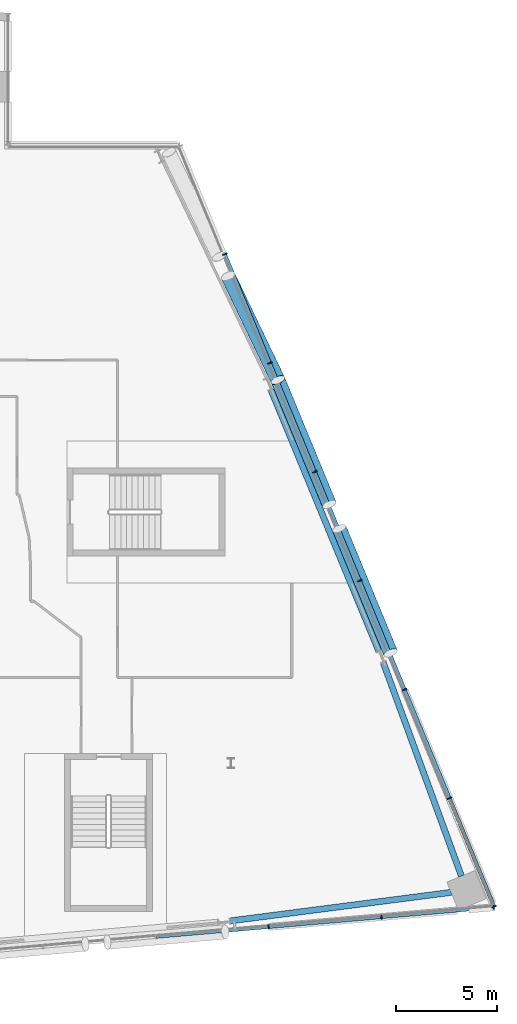
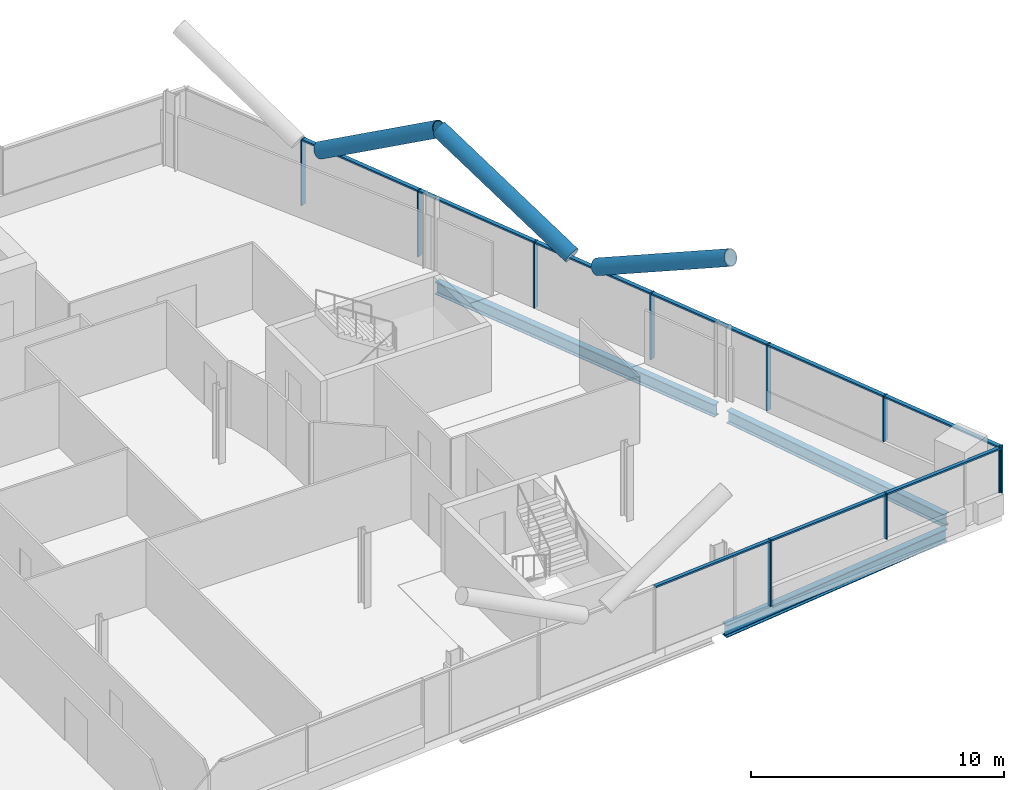
# One storey, part 11 of 26: 22 members, 3 beams, 2 elements without a shape of their own.
"""IFC4 building model written with IfcOpenShell, lengths in metres."""

from ifc_helpers import new_model, si_unit, direction, frame, origin, origin_2d, place, context, subcontext, project, spatial, rectangle, hollow_circle, i_section, extrude, material, material_profile, profile_set, type_object, element, aggregate, save


model = new_model("IFC4")

# Units and contexts
model_context = context("Model", 3, precision=1e-05, world=origin(), true_north=direction((0.0, 1.0)))
body_context = subcontext(model_context, "Body", "Model", "MODEL_VIEW")
ifc_project = project(units=[si_unit("LENGTHUNIT", "METRE"), si_unit("AREAUNIT", "SQUARE_METRE"), si_unit("VOLUMEUNIT", "CUBIC_METRE"), si_unit("PLANEANGLEUNIT", "RADIAN"), si_unit("MASSUNIT", "GRAM", prefix="KILO")], contexts=[model_context])

# Site, building, storey
site_placement = place(None, origin())
site = spatial("IfcSite", under=ifc_project, at=site_placement, CompositionType="ELEMENT")
building_placement = place(site_placement, origin())
building = spatial("IfcBuilding", under=site, at=building_placement, Name="Wharfspan Tower", CompositionType="ELEMENT")
storey_placement = place(building_placement, frame((0.0, 0.0, 166.300049)))
storey = spatial("IfcBuildingStorey", under=building, at=storey_placement, Name="L40", CompositionType="ELEMENT", Elevation=166.300049)

# Beams
ifc_material_1 = material(Name="Steel S355J2", Category="steel")
ifc_material_profile_1 = material_profile(ifc_material_1, i_section(OverallWidth=0.300049, OverallDepth=0.600098, WebThickness=0.015381, FlangeThickness=0.030029, FilletRadius=0.0271, at=origin_2d()))
ifc_profile_set_1 = profile_set([ifc_material_profile_1], Name="Steel S355J2")
beam_type = type_object("IfcBeamType", Name="Edge beam HEB 600", PredefinedType="SPANDREL", material=ifc_profile_set_1)
beam_1_placement = place(storey_placement, frame((71.965576, 3.724121, -0.699951), z_axis=(0.991764, 0.128077, 0.0), x_axis=(-0.128077, 0.991764, 0.0)))
element("IfcBeam", 1, at=beam_1_placement, inside=storey, type_object=beam_type, Name="Edge beam S2 L40 PS2.2 to MC4", PredefinedType="SPANDREL", context=body_context, shape_type="SweptSolid", body=[
    extrude(i_section(OverallWidth=0.300049, OverallDepth=0.600098, WebThickness=0.015381, FlangeThickness=0.030029, FilletRadius=0.0271, at=origin_2d()), origin(), (0.0, 0.0, 1.0), 10.991211),
])
beam_2_placement = place(storey_placement, frame((83.375732, 5.931885, -0.699951), z_axis=(-0.343871, 0.939017, 0.0), x_axis=(-0.939017, -0.343871, 0.0)))
element("IfcBeam", 2, at=beam_2_placement, inside=storey, type_object=beam_type, Name="Edge beam E L40 MC4 to PE.1", PredefinedType="SPANDREL", context=body_context, shape_type="SweptSolid", body=[
    extrude(i_section(OverallWidth=0.300049, OverallDepth=0.600098, WebThickness=0.015381, FlangeThickness=0.030029, FilletRadius=0.0271, at=origin_2d()), origin(), (0.0, 0.0, 1.0), 11.226807),
])
beam_3_placement = place(storey_placement, frame((79.292969, 17.044434, -0.699951), z_axis=(-0.381593, 0.92433, 0.0), x_axis=(-0.92433, -0.381593, 0.0)))
element("IfcBeam", 3, at=beam_3_placement, inside=storey, type_object=beam_type, Name="Edge beam E L40 PE.1 to PE.2", PredefinedType="SPANDREL", context=body_context, shape_type="SweptSolid", body=[
    extrude(i_section(OverallWidth=0.300049, OverallDepth=0.600098, WebThickness=0.015381, FlangeThickness=0.030029, FilletRadius=0.0271, at=origin_2d()), origin(), (0.0, 0.0, 1.0), 13.94751),
])

# Curtain wall, members
ifc_material_2 = material(Name="Aluminium 6063-T6", Category="aluminium")
curtain_wall_type_1 = type_object("IfcCurtainWallType", Name="CURTAIN WALL FACETED FRONT", PredefinedType="NOTDEFINED", material=ifc_material_2)
curtain_wall_1_placement = place(storey_placement, origin())
curtain_wall_1 = element("IfcCurtainWall", 4, at=curtain_wall_1_placement, inside=storey, type_object=curtain_wall_type_1, Name="Curtain wall S2", PredefinedType="NOTDEFINED")
ifc_material_profile_2 = material_profile(ifc_material_2, rectangle(XDim=0.199951, YDim=0.060059, at=origin_2d()))
ifc_profile_set_2 = profile_set([ifc_material_profile_2], Name="Aluminium 6063-T6")
member_type_1 = type_object("IfcMemberType", Name="MULLION FACETED FRONT 60x200", PredefinedType="MULLION", material=ifc_profile_set_2)
member_1_placement = place(storey_placement, frame((73.857178, 3.425049, 0.0), z_axis=(0.0, 0.0, 1.0), x_axis=(-0.087156, 0.996198, 0.0)))
member_1 = element("IfcMember", 5, at=member_1_placement, type_object=member_type_1, Name="Curtain wall S2 mullion 6", PredefinedType="MULLION", context=body_context, shape_type="SweptSolid", body=[
    extrude(rectangle(XDim=0.199951, YDim=0.060059, at=origin_2d()), origin(), (0.0, 0.0, 1.0), 3.199951),
])
member_2_placement = place(storey_placement, frame((79.428467, 3.912598, 1.0), z_axis=(0.0, 0.0, 1.0), x_axis=(-0.087156, 0.996198, 0.0)))
member_2 = element("IfcMember", 6, at=member_2_placement, type_object=member_type_1, Name="Curtain wall S2 mullion 7", PredefinedType="MULLION", context=body_context, shape_type="SweptSolid", body=[
    extrude(rectangle(XDim=0.199951, YDim=0.060059, at=origin_2d()), origin(), (0.0, 0.0, 1.0), 2.199951),
])
member_3_placement = place(storey_placement, frame((84.970215, 4.397461, 1.0), z_axis=(0.0, 0.0, 1.0), x_axis=(-0.087156, 0.996198, 0.0)))
member_3 = element("IfcMember", 7, at=member_3_placement, type_object=member_type_1, Name="Curtain wall S2 mullion 8", PredefinedType="MULLION", context=body_context, shape_type="SweptSolid", body=[
    extrude(rectangle(XDim=0.199951, YDim=0.060059, at=origin_2d()), origin(), (0.0, 0.0, 1.0), 2.199951),
])

curtain_wall_type_2 = type_object("IfcCurtainWallType", Name="CURTAIN WALL PROW AND END", PredefinedType="NOTDEFINED", material=ifc_material_2)
curtain_wall_2_placement = place(storey_placement, origin())
curtain_wall_2 = element("IfcCurtainWall", 8, at=curtain_wall_2_placement, inside=storey, type_object=curtain_wall_type_2, Name="Curtain wall E", PredefinedType="NOTDEFINED")
ifc_material_profile_3 = material_profile(ifc_material_2, rectangle(XDim=0.23999, YDim=0.060059, at=origin_2d()))
ifc_profile_set_3 = profile_set([ifc_material_profile_3], Name="Aluminium 6063-T6")
member_type_2 = type_object("IfcMemberType", Name="MULLION PROW AND END 60x240", PredefinedType="MULLION", material=ifc_profile_set_3)
member_4_placement = place(storey_placement, frame((84.988525, 4.427734, 1.0), z_axis=(0.0, 0.0, 1.0), x_axis=(-0.924325, -0.381602, 0.0)))
member_4 = element("IfcMember", 9, at=member_4_placement, type_object=member_type_2, Name="Curtain wall E mullion 1", PredefinedType="MULLION", context=body_context, shape_type="SweptSolid", body=[
    extrude(rectangle(XDim=0.23999, YDim=0.060059, at=origin_2d()), origin(), (0.0, 0.0, 1.0), 2.199951),
])
member_5_placement = place(storey_placement, frame((82.782471, 9.771484, 1.0), z_axis=(0.0, 0.0, 1.0), x_axis=(-0.924325, -0.381602, 0.0)))
member_5 = element("IfcMember", 10, at=member_5_placement, type_object=member_type_2, Name="Curtain wall E mullion 2", PredefinedType="MULLION", context=body_context, shape_type="SweptSolid", body=[
    extrude(rectangle(XDim=0.23999, YDim=0.060059, at=origin_2d()), origin(), (0.0, 0.0, 1.0), 2.199951),
])
member_6_placement = place(storey_placement, frame((80.564941, 15.142822, 0.0), z_axis=(0.0, 0.0, 1.0), x_axis=(-0.924325, -0.381602, 0.0)))
member_6 = element("IfcMember", 11, at=member_6_placement, type_object=member_type_2, Name="Curtain wall E mullion 3", PredefinedType="MULLION", context=body_context, shape_type="SweptSolid", body=[
    extrude(rectangle(XDim=0.23999, YDim=0.060059, at=origin_2d()), origin(), (0.0, 0.0, 1.0), 3.199951),
])
member_7_placement = place(storey_placement, frame((78.347412, 20.514404, 0.0), z_axis=(0.0, 0.0, 1.0), x_axis=(-0.924325, -0.381602, 0.0)))
member_7 = element("IfcMember", 12, at=member_7_placement, type_object=member_type_2, Name="Curtain wall E mullion 4", PredefinedType="MULLION", context=body_context, shape_type="SweptSolid", body=[
    extrude(rectangle(XDim=0.23999, YDim=0.060059, at=origin_2d()), origin(), (0.0, 0.0, 1.0), 3.199951),
])
member_8_placement = place(storey_placement, frame((76.129639, 25.885742, 0.0), z_axis=(0.0, 0.0, 1.0), x_axis=(-0.924325, -0.381602, 0.0)))
member_8 = element("IfcMember", 13, at=member_8_placement, type_object=member_type_2, Name="Curtain wall E mullion 5", PredefinedType="MULLION", context=body_context, shape_type="SweptSolid", body=[
    extrude(rectangle(XDim=0.23999, YDim=0.060059, at=origin_2d()), origin(), (0.0, 0.0, 1.0), 3.199951),
])
member_9_placement = place(storey_placement, frame((73.912109, 31.25708, 0.0), z_axis=(0.0, 0.0, 1.0), x_axis=(-0.924325, -0.381602, 0.0)))
member_9 = element("IfcMember", 14, at=member_9_placement, type_object=member_type_2, Name="Curtain wall E mullion 6", PredefinedType="MULLION", context=body_context, shape_type="SweptSolid", body=[
    extrude(rectangle(XDim=0.23999, YDim=0.060059, at=origin_2d()), origin(), (0.0, 0.0, 1.0), 3.199951),
])
member_10_placement = place(storey_placement, frame((71.69458, 36.628662, 0.0), z_axis=(0.0, 0.0, 1.0), x_axis=(-0.924325, -0.381602, 0.0)))
member_10 = element("IfcMember", 15, at=member_10_placement, type_object=member_type_2, Name="Curtain wall E mullion 7", PredefinedType="MULLION", context=body_context, shape_type="SweptSolid", body=[
    extrude(rectangle(XDim=0.23999, YDim=0.060059, at=origin_2d()), origin(), (0.0, 0.0, 1.0), 3.199951),
])

# Members
ifc_material_3 = material(Name="Steel S460NH", Category="steel")
ifc_material_profile_4 = material_profile(ifc_material_3, hollow_circle(Radius=0.355469, WallThickness=0.035889, at=origin_2d()))
ifc_profile_set_4 = profile_set([ifc_material_profile_4], Name="Steel S460NH")
member_type_3 = type_object("IfcMemberType", Name="Mega brace CHS 711x36", PredefinedType="BRACE", material=ifc_profile_set_4)
member_11_placement = place(storey_placement, frame((76.854248, 24.275146, 3.216553), z_axis=(-0.342079, 0.828531, 0.443305), x_axis=(-0.924316, -0.381624, -4e-06)))
element("IfcMember", 16, at=member_11_placement, inside=storey, type_object=member_type_3, Name="Mega brace E5 L40 part 2", PredefinedType="BRACE", context=body_context, shape_type="SweptSolid", body=[
    extrude(hollow_circle(Radius=0.355469, WallThickness=0.035889, at=origin_2d()), origin(), (0.0, 0.0, 1.0), 7.406738),
])
member_12_placement = place(storey_placement, frame((77.343018, 23.091309, 3.216553), z_axis=(0.34204, -0.82855, 0.443298), x_axis=(0.924336, 0.38158, -4e-06)))
element("IfcMember", 17, at=member_12_placement, inside=storey, type_object=member_type_3, Name="Mega brace E5 L40 part 4", PredefinedType="BRACE", context=body_context, shape_type="SweptSolid", body=[
    extrude(hollow_circle(Radius=0.355469, WallThickness=0.035889, at=origin_2d()), origin(), (0.0, 0.0, 1.0), 7.406982),
])
member_13_placement = place(storey_placement, frame((71.858154, 35.550537, 3.205811), z_axis=(0.374119, -0.780731, 0.500494), x_axis=(0.90181, 0.432137, -3e-06)))
element("IfcMember", 18, at=member_13_placement, inside=storey, type_object=member_type_3, Name="Mega brace E6 L40 part 4", PredefinedType="BRACE", context=body_context, shape_type="SweptSolid", body=[
    extrude(hollow_circle(Radius=0.355469, WallThickness=0.035889, at=origin_2d()), origin(), (0.0, 0.0, 1.0), 6.581787),
])

# Member
ifc_material_profile_5 = material_profile(ifc_material_2, rectangle(XDim=0.159912, YDim=0.080078, at=origin_2d()))
ifc_profile_set_5 = profile_set([ifc_material_profile_5], Name="Aluminium 6063-T6")
member_type_4 = type_object("IfcMemberType", Name="TRANSOM FACETED FRONT 80x160", PredefinedType="USERDEFINED", material=ifc_profile_set_5)
member_14_placement = place(storey_placement, frame((68.315674, 2.940186, 3.159912), z_axis=(0.996191, 0.087197, 0.0), x_axis=(-0.087197, 0.996191, 0.0)))
member_14 = element("IfcMember", 19, at=member_14_placement, type_object=member_type_4, Name="Curtain wall S2 transom 5", ObjectType="TRANSOM", PredefinedType="USERDEFINED", context=body_context, shape_type="SweptSolid", body=[
    extrude(rectangle(XDim=0.159912, YDim=0.080078, at=origin_2d()), origin(), (0.0, 0.0, 1.0), 5.532471),
])

member_15_placement = place(storey_placement, frame((73.886963, 3.427734, 3.159912), z_axis=(0.996195, 0.087149, 0.0), x_axis=(-0.087149, 0.996195, 0.0)))
member_15 = element("IfcMember", 20, at=member_15_placement, type_object=member_type_4, Name="Curtain wall S2 transom 6", ObjectType="TRANSOM", PredefinedType="USERDEFINED", context=body_context, shape_type="SweptSolid", body=[
    extrude(rectangle(XDim=0.159912, YDim=0.080078, at=origin_2d()), origin(), (0.0, 0.0, 1.0), 5.532715),
])

member_16_placement = place(storey_placement, frame((79.458496, 3.915283, 3.159912), z_axis=(0.996196, 0.087139, 0.0), x_axis=(-0.087139, 0.996196, 0.0)))
member_16 = element("IfcMember", 21, at=member_16_placement, type_object=member_type_4, Name="Curtain wall S2 transom 7", ObjectType="TRANSOM", PredefinedType="USERDEFINED", context=body_context, shape_type="SweptSolid", body=[
    extrude(rectangle(XDim=0.159912, YDim=0.080078, at=origin_2d()), origin(), (0.0, 0.0, 1.0), 5.502686),
])

aggregate(curtain_wall_1, [member_1, member_2, member_3, member_14, member_15, member_16])

ifc_material_profile_6 = material_profile(ifc_material_2, rectangle(XDim=0.179932, YDim=0.080078, at=origin_2d()))
ifc_profile_set_6 = profile_set([ifc_material_profile_6], Name="Aluminium 6063-T6")
member_type_5 = type_object("IfcMemberType", Name="TRANSOM PROW AND END 80x180", PredefinedType="USERDEFINED", material=ifc_profile_set_6)
member_17_placement = place(storey_placement, frame((84.977051, 4.455566, 3.159912), z_axis=(-0.381595, 0.924329, 0.0), x_axis=(-0.924329, -0.381595, 0.0)))
member_17 = element("IfcMember", 22, at=member_17_placement, type_object=member_type_5, Name="Curtain wall E transom 1", ObjectType="TRANSOM", PredefinedType="USERDEFINED", context=body_context, shape_type="SweptSolid", body=[
    extrude(rectangle(XDim=0.179932, YDim=0.080078, at=origin_2d()), origin(), (0.0, 0.0, 1.0), 5.720947),
])

member_18_placement = place(storey_placement, frame((82.770996, 9.799072, 3.159912), z_axis=(-0.381578, 0.924337, 0.0), x_axis=(-0.924337, -0.381578, 0.0)))
member_18 = element("IfcMember", 23, at=member_18_placement, type_object=member_type_5, Name="Curtain wall E transom 2", ObjectType="TRANSOM", PredefinedType="USERDEFINED", context=body_context, shape_type="SweptSolid", body=[
    extrude(rectangle(XDim=0.179932, YDim=0.080078, at=origin_2d()), origin(), (0.0, 0.0, 1.0), 5.751221),
])

member_19_placement = place(storey_placement, frame((80.553467, 15.170654, 3.159912), z_axis=(-0.381629, 0.924315, 0.0), x_axis=(-0.924315, -0.381629, 0.0)))
member_19 = element("IfcMember", 24, at=member_19_placement, type_object=member_type_5, Name="Curtain wall E transom 3", ObjectType="TRANSOM", PredefinedType="USERDEFINED", context=body_context, shape_type="SweptSolid", body=[
    extrude(rectangle(XDim=0.179932, YDim=0.080078, at=origin_2d()), origin(), (0.0, 0.0, 1.0), 5.751221),
])

member_20_placement = place(storey_placement, frame((78.335938, 20.541992, 3.159912), z_axis=(-0.381629, 0.924315, 0.0), x_axis=(-0.924315, -0.381629, 0.0)))
member_20 = element("IfcMember", 25, at=member_20_placement, type_object=member_type_5, Name="Curtain wall E transom 4", ObjectType="TRANSOM", PredefinedType="USERDEFINED", context=body_context, shape_type="SweptSolid", body=[
    extrude(rectangle(XDim=0.179932, YDim=0.080078, at=origin_2d()), origin(), (0.0, 0.0, 1.0), 5.751221),
])

member_21_placement = place(storey_placement, frame((76.118408, 25.91333, 3.159912), z_axis=(-0.381614, 0.924322, 0.0), x_axis=(-0.924322, -0.381614, 0.0)))
member_21 = element("IfcMember", 26, at=member_21_placement, type_object=member_type_5, Name="Curtain wall E transom 5", ObjectType="TRANSOM", PredefinedType="USERDEFINED", context=body_context, shape_type="SweptSolid", body=[
    extrude(rectangle(XDim=0.179932, YDim=0.080078, at=origin_2d()), origin(), (0.0, 0.0, 1.0), 5.751465),
])

member_22_placement = place(storey_placement, frame((73.900635, 31.284912, 3.159912), z_axis=(-0.381593, 0.92433, 0.0), x_axis=(-0.92433, -0.381593, 0.0)))
member_22 = element("IfcMember", 27, at=member_22_placement, type_object=member_type_5, Name="Curtain wall E transom 6", ObjectType="TRANSOM", PredefinedType="USERDEFINED", context=body_context, shape_type="SweptSolid", body=[
    extrude(rectangle(XDim=0.179932, YDim=0.080078, at=origin_2d()), origin(), (0.0, 0.0, 1.0), 5.751221),
])

aggregate(curtain_wall_2, [member_4, member_5, member_6, member_7, member_8, member_9, member_10, member_17, member_18, member_19, member_20, member_21, member_22])

save(model, "model.ifc")
